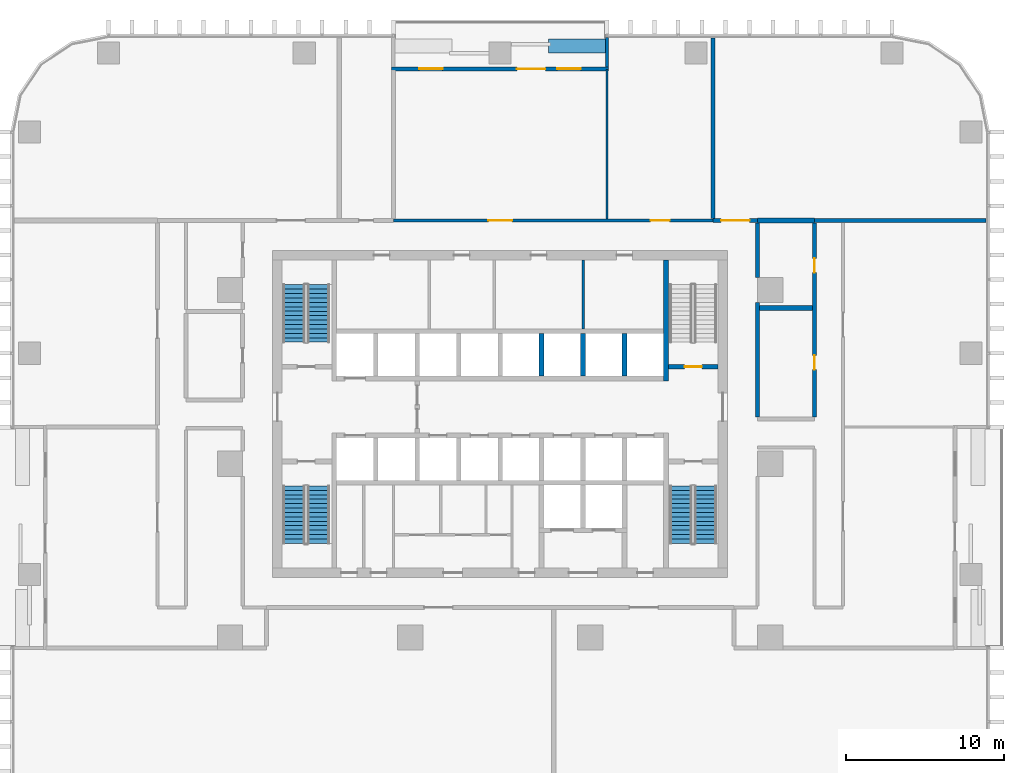
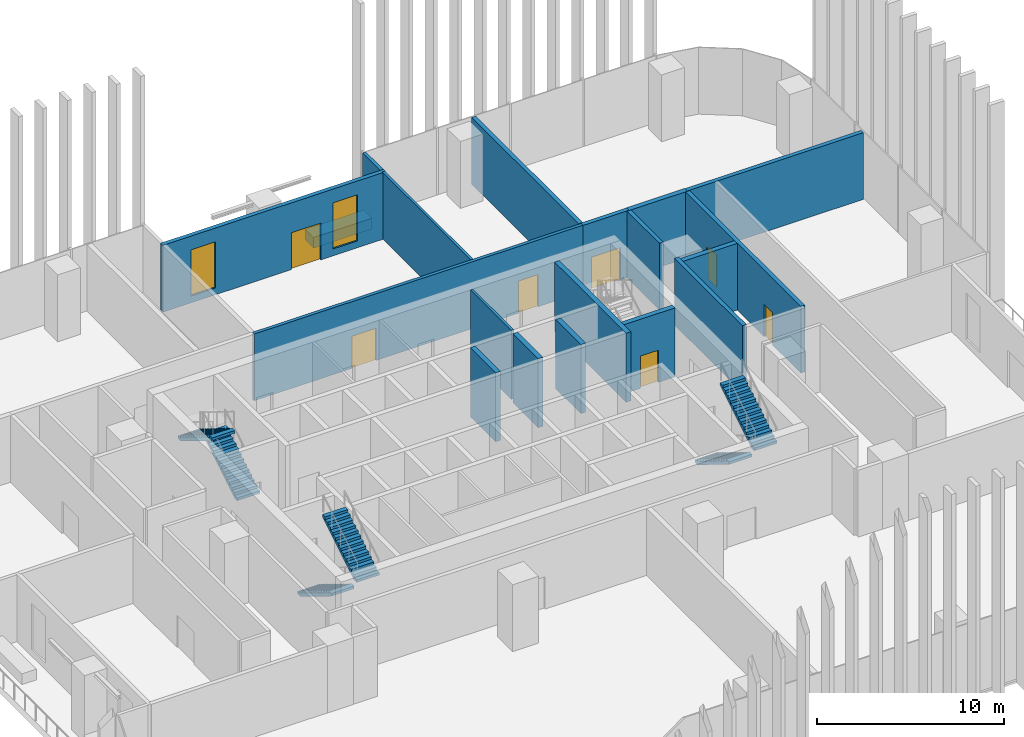
# One storey, part 10 of 17: 19 walls, 7 doors, 6 stair flights, 2 windows, 9 openings, 3 elements without a shape of their own.
"""IFC4 building model written with IfcOpenShell, lengths in metres."""

from ifc_helpers import new_model, si_unit, direction, frame, frame_2d, origin, place, context, subcontext, project, spatial, polyline, rectangle, outline, extrude, material, layer, layer_set, type_object, element, fill, aggregate, save


model = new_model("IFC4")

# Units and contexts
model_context = context("Model", 3, precision=1e-05, world=origin(), true_north=direction((0.0, 1.0)))
body_context = subcontext(model_context, "Body", "Model", "MODEL_VIEW")
ifc_project = project(units=[si_unit("LENGTHUNIT", "METRE"), si_unit("AREAUNIT", "SQUARE_METRE"), si_unit("VOLUMEUNIT", "CUBIC_METRE"), si_unit("PLANEANGLEUNIT", "RADIAN"), si_unit("MASSUNIT", "GRAM", prefix="KILO")], contexts=[model_context])

# Site, building, storey
site_placement = place(None, origin())
site = spatial("IfcSite", under=ifc_project, at=site_placement, CompositionType="ELEMENT")
building_placement = place(site_placement, origin())
building = spatial("IfcBuilding", under=site, at=building_placement, Name="Mopane Tessera Tower", CompositionType="ELEMENT")
storey_placement = place(building_placement, frame((0.0, 0.0, 31.0)))
storey = spatial("IfcBuildingStorey", under=building, at=storey_placement, Name="L05", CompositionType="ELEMENT", Elevation=31.0)

# Walls
ifc_material_1 = material(Name="Fire-rated gypsum board partition")
ifc_layer_1 = layer(ifc_material_1, 0.14990234375)
ifc_layer_set_1 = layer_set([ifc_layer_1], Name="Fire-rated gypsum board partition")
wall_type_1 = type_object("IfcWallType", Name="Core room partition 150 mm", PredefinedType="PARTITIONING", material=ifc_layer_set_1)
wall_1_placement = place(storey_placement, frame((5.25, 8.550048828125, 0.0), z_axis=(0.0, 0.0, 1.0), x_axis=(0.0, 1.0, 0.0)))
element("IfcWall", 1, at=wall_1_placement, inside=storey, type_object=wall_type_1, Name="L05 Room partition", PredefinedType="PARTITIONING", context=body_context, shape_type="SweptSolid", body=[
    extrude(rectangle(XDim=4.349853515625, YDim=0.14990234375, at=frame_2d((2.1748046875, 0.0))), origin(), (0.0, 0.0, 1.0), 4.5),
])
ifc_material_2 = material(Name="Concrete C60/75", Category="concrete")
ifc_layer_2 = layer(ifc_material_2, 0.300048828125)
ifc_layer_set_2 = layer_set([ifc_layer_2], Name="Concrete C60/75")
wall_type_2 = type_object("IfcWallType", Name="Core spine wall 300 mm", PredefinedType="SHEAR", material=ifc_layer_set_2)
wall_2_placement = place(storey_placement, frame((10.5, 5.25, 0.0), z_axis=(0.0, 0.0, 1.0), x_axis=(0.0, 1.0, 0.0)))
element("IfcWall", 2, at=wall_2_placement, inside=storey, type_object=wall_type_2, Name="L05 Core spine wall", PredefinedType="SHEAR", context=body_context, shape_type="SweptSolid", body=[
    extrude(rectangle(XDim=7.64990234375, YDim=0.300048828125, at=frame_2d((3.824951171875, 0.0))), origin(), (0.0, 0.0, 1.0), 4.5),
])

# Wall, openings, doors
ifc_material_3 = material(Name="Gypsum board on steel studs, two layers each face, mineral wool infill", Category="steel")
ifc_layer_3 = layer(ifc_material_3, 0.199951171875)
ifc_layer_set_3 = layer_set([ifc_layer_3], Name="Gypsum board on steel studs, two layers each face, mineral wool infill")
wall_type_3 = type_object("IfcWallType", Name="Gypsum board corridor wall 200, rated EI 60", PredefinedType="PARTITIONING", material=ifc_layer_set_3)
wall_3_placement = place(storey_placement, frame((-6.764892578125, 15.39990234375, 0.0), z_axis=(0.0, 0.0, 1.0), x_axis=(1.0, 0.0, 0.0)))
wall_3 = element("IfcWall", 3, at=wall_3_placement, inside=storey, type_object=wall_type_3, Name="Partition L05:017", PredefinedType="PARTITIONING", context=body_context, shape_type="SweptSolid", body=[
    extrude(rectangle(XDim=20.244873046875, YDim=0.199951171875, at=frame_2d((10.12255859375, 0.0))), origin(), (0.0, 0.0, 1.0), 4.35009765625),
])
opening_1_placement = place(wall_3_placement, frame((6.014892578125, 0.0, 0.0)))
opening_1 = element("IfcOpeningElement", 4, at=opening_1_placement, cuts=wall_3, Name="Opening L05-04", PredefinedType="OPENING", context=body_context, shape_type="SweptSolid", body=[
    extrude(rectangle(XDim=1.5, YDim=2.10009765625, at=frame_2d((0.75, 1.050048828125))), frame((0.0, 0.112060546875, 0.0), z_axis=(0.0, -1.0, 0.0), x_axis=(1.0, 0.0, 0.0)), (0.0, 0.0, 1.0), 0.223876953125),
])
opening_2_placement = place(wall_3_placement, frame((16.28759765625, 0.0, 0.0)))
opening_2 = element("IfcOpeningElement", 5, at=opening_2_placement, cuts=wall_3, Name="Opening L05-15", PredefinedType="OPENING", context=body_context, shape_type="SweptSolid", body=[
    extrude(rectangle(XDim=1.199951171875, YDim=2.10009765625, at=frame_2d((0.60009765625, 1.050048828125))), frame((0.0, 0.112060546875, 0.0), z_axis=(0.0, -1.0, 0.0), x_axis=(1.0, 0.0, 0.0)), (0.0, 0.0, 1.0), 0.223876953125),
])
ifc_material_4 = material(Name="Timber veneered steel-framed fire door", Category="steel")
door_type_1 = type_object("IfcDoorType", Name="Fire door FD60 1200 x 2100", OperationType="SINGLE_SWING_LEFT", PredefinedType="DOOR", material=ifc_material_4)
door_1_placement = place(opening_2_placement, origin())
door_1 = element("IfcDoor", 6, at=door_1_placement, inside=storey, type_object=door_type_1, Name="Door L05-15", ObjectType="D15A", OperationType="SINGLE_SWING_RIGHT", OverallHeight=2.10009765625, OverallWidth=1.199951171875, PredefinedType="DOOR", context=body_context, shape_type="SweptSolid", body=[
    extrude(rectangle(XDim=1.199951171875, YDim=2.10009765625, at=frame_2d((0.60009765625, 1.050048828125))), frame((0.0, 0.02490234375, 0.0), z_axis=(0.0, -1.0, 0.0), x_axis=(1.0, 0.0, 0.0)), (0.0, 0.0, 1.0), 0.050048828125),
])
fill(opening_2, door_1)
ifc_material_5 = material(Name="Timber veneered steel-framed fire door", Category="steel")
door_type_2 = type_object("IfcDoorType", Name="Fire door pair FD60 1500 x 2100", OperationType="DOUBLE_DOOR_SINGLE_SWING", PredefinedType="DOOR", material=ifc_material_5)
door_2_placement = place(opening_1_placement, origin())
door_2 = element("IfcDoor", 7, at=door_2_placement, inside=storey, type_object=door_type_2, Name="Door L05-04", ObjectType="D17A", OperationType="DOUBLE_DOOR_SINGLE_SWING", OverallHeight=2.10009765625, OverallWidth=1.5, PredefinedType="DOOR", context=body_context, shape_type="SweptSolid", body=[
    extrude(rectangle(XDim=1.5, YDim=2.10009765625, at=frame_2d((0.75, 1.050048828125))), frame((0.0, 0.02490234375, 0.0), z_axis=(0.0, -1.0, 0.0), x_axis=(1.0, 0.0, 0.0)), (0.0, 0.0, 1.0), 0.050048828125),
])
fill(opening_1, door_2)

# Wall
ifc_material_6 = material(Name="Gypsum board on steel studs, mineral wool infill", Category="steel")
ifc_layer_4 = layer(ifc_material_6, 0.14990234375)
ifc_layer_set_4 = layer_set([ifc_layer_4], Name="Gypsum board on steel studs, mineral wool infill")
wall_type_4 = type_object("IfcWallType", Name="Gypsum board partition 150, rated EI 60", PredefinedType="PARTITIONING", material=ifc_layer_set_4)
wall_4_placement = place(storey_placement, frame((6.764892578125, 15.5, 0.0), z_axis=(0.0, 0.0, 1.0), x_axis=(0.0, 1.0, 0.0)))
element("IfcWall", 8, at=wall_4_placement, inside=storey, type_object=wall_type_4, Name="Partition L05:037", PredefinedType="PARTITIONING", context=body_context, shape_type="SweptSolid", body=[
    extrude(rectangle(XDim=9.449951171875, YDim=0.14990234375, at=frame_2d((4.72509765625, 0.0))), origin(), (0.0, 0.0, 1.0), 4.35009765625),
])

# Wall, opening, door
ifc_material_7 = material(Name="Concrete C50/60", Category="concrete")
ifc_layer_5 = layer(ifc_material_7, 0.300048828125)
ifc_layer_set_5 = layer_set([ifc_layer_5], Name="Concrete C50/60")
wall_type_5 = type_object("IfcWallType", Name="Lift and stair shaft wall 300 mm", PredefinedType="SOLIDWALL", material=ifc_layer_set_5)
wall_5_placement = place(storey_placement, frame((10.64990234375, 6.14990234375, 0.0), z_axis=(0.0, 0.0, 1.0), x_axis=(1.0, 0.0, 0.0)))
wall_5 = element("IfcWall", 9, at=wall_5_placement, inside=storey, type_object=wall_type_5, Name="L05 Stair enclosure wall", PredefinedType="SOLIDWALL", context=body_context, shape_type="SweptSolid", body=[
    extrude(rectangle(XDim=3.150146484375, YDim=0.300048828125, at=frame_2d((1.5751953125, 0.0))), origin(), (0.0, 0.0, 1.0), 4.5),
])
opening_3_placement = place(wall_5_placement, frame((1.02490234375, 0.0, 0.0)))
opening_3 = element("IfcOpeningElement", 10, at=opening_3_placement, cuts=wall_5, Name="Opening SD1", PredefinedType="OPENING", context=body_context, shape_type="SweptSolid", body=[
    extrude(rectangle(XDim=1.10009765625, YDim=2.10009765625, at=frame_2d((0.550048828125, 1.050048828125))), frame((0.0, 0.162109375, 0.0), z_axis=(0.0, -1.0, 0.0), x_axis=(1.0, 0.0, 0.0)), (0.0, 0.0, 1.0), 0.323974609375),
])
ifc_material_8 = material(Name="Steel fire door", Category="steel")
door_type_3 = type_object("IfcDoorType", Name="Stair fire door 1100 x 2100", OperationType="SINGLE_SWING_LEFT", PredefinedType="DOOR", material=ifc_material_8)
door_3_placement = place(opening_3_placement, origin())
door_3 = element("IfcDoor", 11, at=door_3_placement, inside=storey, type_object=door_type_3, Name="L05 Stair door ST4", OperationType="SINGLE_SWING_RIGHT", OverallHeight=2.10009765625, OverallWidth=1.10009765625, PredefinedType="DOOR", context=body_context, shape_type="SweptSolid", body=[
    extrude(rectangle(XDim=1.10009765625, YDim=2.10009765625, at=frame_2d((0.550048828125, 1.050048828125))), frame((0.0, 0.02490234375, 0.0), z_axis=(0.0, -1.0, 0.0), x_axis=(1.0, 0.0, 0.0)), (0.0, 0.0, 1.0), 0.050048828125),
])
fill(opening_3, door_3)

# Walls
for number, where, z_axis, x_axis, name in (
    (12, (2.625, 5.550048828125, 0.0), (0.0, 0.0, 1.0), (0.0, 1.0, 0.0), "L05 Lift shaft wall"),
    (13, (5.25, 5.550048828125, 0.0), (0.0, 0.0, 1.0), (0.0, 1.0, 0.0), "L05 Lift shaft wall"),
    (14, (7.875, 5.550048828125, 0.0), (0.0, 0.0, 1.0), (0.0, 1.0, 0.0), "L05 Lift shaft wall"),
):
    element("IfcWall", number, at=place(storey_placement, frame(where, z_axis=z_axis, x_axis=x_axis)), inside=storey, type_object=wall_type_5, Name=name, PredefinedType="SOLIDWALL", context=body_context, shape_type="SweptSolid", body=[
        extrude(rectangle(XDim=2.699951171875, YDim=0.300048828125, at=frame_2d((1.35009765625, 0.0))), origin(), (0.0, 0.0, 1.0), 4.5),
    ])
ifc_material_9 = material(Name="Reinforced concrete C32/40 with waterproofing", Category="concrete")
ifc_layer_6 = layer(ifc_material_9, 0.89990234375)
ifc_layer_set_6 = layer_set([ifc_layer_6], Name="Reinforced concrete C32/40 with waterproofing")
wall_type_6 = type_object("IfcWallType", Name="Planter trough 3600 x 900", PredefinedType="STANDARD", material=ifc_layer_set_6)
wall_6_placement = place(storey_placement, frame((6.66357421875, 26.449951171875, 0.0), z_axis=(0.0, 0.0, 1.0), x_axis=(-1.0, 0.0, 0.0)))
element("IfcWall", 15, at=wall_6_placement, inside=storey, type_object=wall_type_6, Name="e:nw:L05:N2:pl0", PredefinedType="STANDARD", context=body_context, shape_type="SweptSolid", body=[
    extrude(rectangle(XDim=3.599853515625, YDim=0.89990234375, at=frame_2d((1.7998046875, 0.0))), origin(), (0.0, 0.0, 1.0), 0.699951171875),
])
ifc_material_10 = material(Name="Plastered concrete blockwork C20/25", Category="masonry")
ifc_layer_7 = layer(ifc_material_10, 0.300048828125)
ifc_layer_set_7 = layer_set([ifc_layer_7], Name="Plastered concrete blockwork C20/25")
wall_type_7 = type_object("IfcWallType", Name="Plastered blockwork separation wall 300, rated EI 120", PredefinedType="PARTITIONING", material=ifc_layer_set_7)
wall_7_placement = place(storey_placement, frame((16.425048828125, 9.8701171875, 0.0), z_axis=(0.0, 0.0, 1.0), x_axis=(1.0, 0.0, 0.0)))
element("IfcWall", 16, at=wall_7_placement, inside=storey, type_object=wall_type_7, Name="Partition L05:016", PredefinedType="PARTITIONING", context=body_context, shape_type="SweptSolid", body=[
    extrude(rectangle(XDim=3.349853515625, YDim=0.300048828125, at=frame_2d((1.6748046875, 0.0))), origin(), (0.0, 0.0, 1.0), 4.35009765625),
])
wall_8_placement = place(storey_placement, frame((16.300048828125, 15.39990234375, 0.0), z_axis=(0.0, 0.0, 1.0), x_axis=(1.0, 0.0, 0.0)))
element("IfcWall", 17, at=wall_8_placement, inside=storey, type_object=wall_type_7, Name="Partition L05:022", PredefinedType="PARTITIONING", context=body_context, shape_type="SweptSolid", body=[
    extrude(rectangle(XDim=3.599853515625, YDim=0.300048828125, at=frame_2d((1.7998046875, 0.0))), origin(), (0.0, 0.0, 1.0), 4.35009765625),
])

# Wall, opening, door
ifc_material_11 = material(Name="Plastered concrete blockwork C20/25", Category="masonry")
ifc_layer_8 = layer(ifc_material_11, 0.25)
ifc_layer_set_8 = layer_set([ifc_layer_8], Name="Plastered concrete blockwork C20/25")
wall_type_8 = type_object("IfcWallType", Name="Plastered blockwork wall 250, rated EI 120", PredefinedType="PARTITIONING", material=ifc_layer_set_8)
wall_9_placement = place(storey_placement, frame((13.47998046875, 15.39990234375, 0.0), z_axis=(0.0, 0.0, 1.0), x_axis=(1.0, 0.0, 0.0)))
wall_9 = element("IfcWall", 18, at=wall_9_placement, inside=storey, type_object=wall_type_8, Name="Partition L05:019", PredefinedType="PARTITIONING", context=body_context, shape_type="SweptSolid", body=[
    extrude(rectangle(XDim=2.820068359375, YDim=0.25, at=frame_2d((1.41015625, 0.0))), origin(), (0.0, 0.0, 1.0), 4.35009765625),
])
opening_4_placement = place(wall_9_placement, frame((0.510009765625, 0.0, 0.0)))
opening_4 = element("IfcOpeningElement", 19, at=opening_4_placement, cuts=wall_9, Name="Opening L05-12", PredefinedType="OPENING", context=body_context, shape_type="SweptSolid", body=[
    extrude(rectangle(XDim=1.800048828125, YDim=2.10009765625, at=frame_2d((0.89990234375, 1.050048828125))), frame((0.0, 0.136962890625, 0.0), z_axis=(0.0, -1.0, 0.0), x_axis=(1.0, 0.0, 0.0)), (0.0, 0.0, 1.0), 0.27392578125),
])
ifc_material_12 = material(Name="Timber veneered steel-framed fire door", Category="steel")
door_type_4 = type_object("IfcDoorType", Name="Fire door pair FD120 1800 x 2100", OperationType="DOUBLE_DOOR_SINGLE_SWING", PredefinedType="DOOR", material=ifc_material_12)
door_4_placement = place(opening_4_placement, origin())
door_4 = element("IfcDoor", 20, at=door_4_placement, inside=storey, type_object=door_type_4, Name="Door L05-12", ObjectType="D20B", OperationType="DOUBLE_DOOR_SINGLE_SWING", OverallHeight=2.10009765625, OverallWidth=1.800048828125, PredefinedType="DOOR", context=body_context, shape_type="SweptSolid", body=[
    extrude(rectangle(XDim=1.800048828125, YDim=2.10009765625, at=frame_2d((0.89990234375, 1.050048828125))), frame((0.0, 0.02490234375, 0.0), z_axis=(0.0, -1.0, 0.0), x_axis=(1.0, 0.0, 0.0)), (0.0, 0.0, 1.0), 0.050048828125),
])
fill(opening_4, door_4)

# Walls
wall_10_placement = place(storey_placement, frame((19.89990234375, 15.39990234375, 0.0), z_axis=(0.0, 0.0, 1.0), x_axis=(1.0, 0.0, 0.0)))
element("IfcWall", 21, at=wall_10_placement, inside=storey, type_object=wall_type_8, Name="Partition L05:020", PredefinedType="PARTITIONING", context=body_context, shape_type="SweptSolid", body=[
    extrude(rectangle(XDim=10.85009765625, YDim=0.25, at=frame_2d((5.425048828125, 0.0))), origin(), (0.0, 0.0, 1.0), 4.35009765625),
])
wall_11_placement = place(storey_placement, frame((13.47998046875, 15.52490234375, 0.0), z_axis=(0.0, 0.0, 1.0), x_axis=(0.0, 1.0, 0.0)))
element("IfcWall", 22, at=wall_11_placement, inside=storey, type_object=wall_type_8, Name="Partition L05:038", PredefinedType="PARTITIONING", context=body_context, shape_type="SweptSolid", body=[
    extrude(rectangle(XDim=11.425048828125, YDim=0.25, at=frame_2d((5.71240234375, 0.0))), origin(), (0.0, 0.0, 1.0), 4.35009765625),
])
wall_12_placement = place(storey_placement, frame((16.300048828125, 2.949951171875, 0.0), z_axis=(0.0, 0.0, 1.0), x_axis=(0.0, 1.0, 0.0)))
element("IfcWall", 23, at=wall_12_placement, inside=storey, type_object=wall_type_8, Name="Partition L05:041", PredefinedType="PARTITIONING", context=body_context, shape_type="SweptSolid", body=[
    extrude(rectangle(XDim=7.25, YDim=0.25, at=frame_2d((3.625, 0.0))), origin(), (0.0, 0.0, 1.0), 4.35009765625),
])
wall_13_placement = place(storey_placement, frame((16.300048828125, 11.800048828125, 0.0), z_axis=(0.0, 0.0, 1.0), x_axis=(0.0, 1.0, 0.0)))
element("IfcWall", 24, at=wall_13_placement, inside=storey, type_object=wall_type_8, Name="Partition L05:042", PredefinedType="PARTITIONING", context=body_context, shape_type="SweptSolid", body=[
    extrude(rectangle(XDim=3.449951171875, YDim=0.25, at=frame_2d((1.72509765625, 0.0))), origin(), (0.0, 0.0, 1.0), 4.35009765625),
])

# Wall, openings, doors
wall_14_placement = place(storey_placement, frame((19.89990234375, 2.949951171875, 0.0), z_axis=(0.0, 0.0, 1.0), x_axis=(0.0, 1.0, 0.0)))
wall_14 = element("IfcWall", 25, at=wall_14_placement, inside=storey, type_object=wall_type_8, Name="Partition L05:044", PredefinedType="PARTITIONING", context=body_context, shape_type="SweptSolid", body=[
    extrude(rectangle(XDim=12.300048828125, YDim=0.25, at=frame_2d((6.14990234375, 0.0))), origin(), (0.0, 0.0, 1.0), 4.35009765625),
])
opening_5_placement = place(wall_14_placement, frame((9.159912109375, 0.0, 0.0)))
opening_5 = element("IfcOpeningElement", 26, at=opening_5_placement, cuts=wall_14, Name="Opening L05-02", PredefinedType="OPENING", context=body_context, shape_type="SweptSolid", body=[
    extrude(rectangle(XDim=0.89990234375, YDim=2.10009765625, at=frame_2d((0.449951171875, 1.050048828125))), frame((0.0, 0.136962890625, 0.0), z_axis=(0.0, -1.0, 0.0), x_axis=(1.0, 0.0, 0.0)), (0.0, 0.0, 1.0), 0.27392578125),
])
opening_6_placement = place(wall_14_placement, frame((3.010009765625, 0.0, 0.0)))
opening_6 = element("IfcOpeningElement", 27, at=opening_6_placement, cuts=wall_14, Name="Opening L05-11", PredefinedType="OPENING", context=body_context, shape_type="SweptSolid", body=[
    extrude(rectangle(XDim=0.89990234375, YDim=2.10009765625, at=frame_2d((0.449951171875, 1.050048828125))), frame((0.0, 0.136962890625, 0.0), z_axis=(0.0, -1.0, 0.0), x_axis=(1.0, 0.0, 0.0)), (0.0, 0.0, 1.0), 0.27392578125),
])
ifc_material_13 = material(Name="Timber veneered steel-framed fire door", Category="steel")
door_type_5 = type_object("IfcDoorType", Name="Fire door FD120 900 x 2100", OperationType="SINGLE_SWING_LEFT", PredefinedType="DOOR", material=ifc_material_13)
door_5_placement = place(opening_5_placement, origin())
door_5 = element("IfcDoor", 28, at=door_5_placement, inside=storey, type_object=door_type_5, Name="Door L05-02", ObjectType="D10B", OperationType="SINGLE_SWING_RIGHT", OverallHeight=2.10009765625, OverallWidth=0.89990234375, PredefinedType="DOOR", context=body_context, shape_type="SweptSolid", body=[
    extrude(rectangle(XDim=0.89990234375, YDim=2.10009765625, at=frame_2d((0.449951171875, 1.050048828125))), frame((0.0, 0.02490234375, 0.0), z_axis=(0.0, -1.0, 0.0), x_axis=(1.0, 0.0, 0.0)), (0.0, 0.0, 1.0), 0.050048828125),
])
fill(opening_5, door_5)
door_6_placement = place(opening_6_placement, origin())
door_6 = element("IfcDoor", 29, at=door_6_placement, inside=storey, type_object=door_type_5, Name="Door L05-11", ObjectType="D10B", OperationType="SINGLE_SWING_LEFT", OverallHeight=2.10009765625, OverallWidth=0.89990234375, PredefinedType="DOOR", context=body_context, shape_type="SweptSolid", body=[
    extrude(rectangle(XDim=0.89990234375, YDim=2.10009765625, at=frame_2d((0.449951171875, 1.050048828125))), frame((0.0, 0.02490234375, 0.0), z_axis=(0.0, -1.0, 0.0), x_axis=(1.0, 0.0, 0.0)), (0.0, 0.0, 1.0), 0.050048828125),
])
fill(opening_6, door_6)

# Wall
ifc_material_14 = material(Name="Blockwork with glazed tile facing", Category="masonry")
ifc_layer_9 = layer(ifc_material_14, 0.199951171875)
ifc_layer_set_9 = layer_set([ifc_layer_9], Name="Blockwork with glazed tile facing")
wall_type_9 = type_object("IfcWallType", Name="Terrace cheek wall 200", PredefinedType="STANDARD", material=ifc_layer_set_9)
wall_15_placement = place(storey_placement, frame((6.763671875, 27.0, 0.0), z_axis=(0.0, 0.0, 1.0), x_axis=(0.0, -1.0, 0.0)))
element("IfcWall", 30, at=wall_15_placement, inside=storey, type_object=wall_type_9, Name="e:nw:L05:N2:cheeka", PredefinedType="STANDARD", context=body_context, shape_type="SweptSolid", body=[
    extrude(rectangle(XDim=1.875, YDim=0.199951171875, at=frame_2d((0.9375, 0.0))), origin(), (0.0, 0.0, 1.0), 4.35009765625),
])

# Wall, openings, windows, door
ifc_material_15 = material(Name="Blockwork with ultramarine glazed tile facing", Category="masonry")
ifc_layer_10 = layer(ifc_material_15, 0.25)
ifc_layer_set_10 = layer_set([ifc_layer_10], Name="Blockwork with ultramarine glazed tile facing")
wall_type_10 = type_object("IfcWallType", Name="Tile-clad external wall 250, ultramarine", PredefinedType="STANDARD", material=ifc_layer_set_10)
wall_16_placement = place(storey_placement, frame((6.863525390625, 25.0, 0.0), z_axis=(0.0, 0.0, 1.0), x_axis=(-1.0, 0.0, 0.0)))
wall_16 = element("IfcWall", 31, at=wall_16_placement, inside=storey, type_object=wall_type_10, Name="e:nw:L05:N2:back", PredefinedType="STANDARD", context=body_context, shape_type="SweptSolid", body=[
    extrude(rectangle(XDim=13.72705078125, YDim=0.25, at=frame_2d((6.863525390625, 0.0))), origin(), (0.0, 0.0, 1.0), 4.35009765625),
])
opening_7_placement = place(wall_16_placement, frame((1.75, 0.0, 0.449951171875)))
opening_7 = element("IfcOpeningElement", 32, at=opening_7_placement, cuts=wall_16, Name="Opening NW052A", PredefinedType="OPENING", context=body_context, shape_type="SweptSolid", body=[
    extrude(rectangle(XDim=1.5, YDim=3.0, at=frame_2d((0.75, 1.5))), frame((0.0, 0.136962890625, 0.0), z_axis=(0.0, -1.0, 0.0), x_axis=(1.0, 0.0, 0.0)), (0.0, 0.0, 1.0), 0.27392578125),
])
opening_8_placement = place(wall_16_placement, frame((4.0, 0.0, 0.0)))
opening_8 = element("IfcOpeningElement", 33, at=opening_8_placement, cuts=wall_16, Name="Opening ND052", PredefinedType="OPENING", context=body_context, shape_type="SweptSolid", body=[
    extrude(rectangle(XDim=1.800048828125, YDim=2.39990234375, at=frame_2d((0.89990234375, 1.199951171875))), frame((0.0, 0.136962890625, 0.0), z_axis=(0.0, -1.0, 0.0), x_axis=(1.0, 0.0, 0.0)), (0.0, 0.0, 1.0), 0.27392578125),
])
opening_9_placement = place(wall_16_placement, frame((10.5, 0.0, 0.449951171875)))
opening_9 = element("IfcOpeningElement", 34, at=opening_9_placement, cuts=wall_16, Name="Opening NW052B", PredefinedType="OPENING", context=body_context, shape_type="SweptSolid", body=[
    extrude(rectangle(XDim=1.5, YDim=3.0, at=frame_2d((0.75, 1.5))), frame((0.0, 0.136962890625, 0.0), z_axis=(0.0, -1.0, 0.0), x_axis=(1.0, 0.0, 0.0)), (0.0, 0.0, 1.0), 0.27392578125),
])
ifc_material_16 = material(Name="Clear laminated glass", Category="glass")
window_type = type_object("IfcWindowType", Name="Fixed window 1500 x 3000", PartitioningType="SINGLE_PANEL", PredefinedType="WINDOW", material=ifc_material_16)
window_1_placement = place(opening_7_placement, origin())
window_1 = element("IfcWindow", 35, at=window_1_placement, inside=storey, type_object=window_type, Name="e:nw:L05:N2:win0", OverallHeight=3.0, OverallWidth=1.5, PartitioningType="SINGLE_PANEL", PredefinedType="WINDOW", context=body_context, shape_type="SweptSolid", body=[
    extrude(rectangle(XDim=1.5, YDim=3.0, at=frame_2d((0.75, 1.5))), frame((0.0, 0.030029296875, 0.0), z_axis=(0.0, -1.0, 0.0), x_axis=(1.0, 0.0, 0.0)), (0.0, 0.0, 1.0), 0.06005859375),
])
fill(opening_7, window_1)
window_2_placement = place(opening_9_placement, origin())
window_2 = element("IfcWindow", 36, at=window_2_placement, inside=storey, type_object=window_type, Name="e:nw:L05:N2:win2", OverallHeight=3.0, OverallWidth=1.5, PartitioningType="SINGLE_PANEL", PredefinedType="WINDOW", context=body_context, shape_type="SweptSolid", body=[
    extrude(rectangle(XDim=1.5, YDim=3.0, at=frame_2d((0.75, 1.5))), frame((0.0, 0.030029296875, 0.0), z_axis=(0.0, -1.0, 0.0), x_axis=(1.0, 0.0, 0.0)), (0.0, 0.0, 1.0), 0.06005859375),
])
fill(opening_9, window_2)
ifc_material_17 = material(Name="Aluminium and clear glass", Category="aluminium")
door_type_6 = type_object("IfcDoorType", Name="Terrace double door 1800 x 2400", OperationType="DOUBLE_DOOR_SINGLE_SWING", PredefinedType="DOOR", material=ifc_material_17)
door_7_placement = place(opening_8_placement, origin())
door_7 = element("IfcDoor", 37, at=door_7_placement, inside=storey, type_object=door_type_6, Name="e:nw:L05:N2:door", ObjectType="D1", OperationType="DOUBLE_DOOR_SINGLE_SWING", OverallHeight=2.39990234375, OverallWidth=1.800048828125, PredefinedType="DOOR", context=body_context, shape_type="SweptSolid", body=[
    extrude(rectangle(XDim=1.800048828125, YDim=2.39990234375, at=frame_2d((0.89990234375, 1.199951171875))), frame((0.0, 0.02490234375, 0.0), z_axis=(0.0, -1.0, 0.0), x_axis=(1.0, 0.0, 0.0)), (0.0, 0.0, 1.0), 0.050048828125),
])
fill(opening_8, door_7)

# Stair, stair flights
ifc_material_18 = material(Name="Concrete C50/60", Category="concrete")
stair_type = type_object("IfcStairType", Name="Escape stair 1400 mm, riser 171 mm", PredefinedType="HALF_TURN_STAIR", material=ifc_material_18)
stair_1_placement = place(storey_placement, origin())
stair_1 = element("IfcStair", 38, at=stair_1_placement, inside=storey, type_object=stair_type, Name="L05 Escape stair south-west", PredefinedType="HALF_TURN_STAIR")
ifc_material_19 = material(Name="Concrete C50/60", Category="concrete")
stair_flight_type = type_object("IfcStairFlightType", Name="Escape stair flight 1400 mm", PredefinedType="STRAIGHT", material=ifc_material_19)
stair_flight_1_placement = place(storey_placement, frame((-13.050048828125, -1.39990234375, 0.0), z_axis=(0.0, 0.0, 1.0), x_axis=(0.0, -1.0, 0.0)))
stair_flight_1 = element("IfcStairFlight", 39, at=stair_flight_1_placement, type_object=stair_flight_type, Name="ST1 flight 1", NumberOfRisers=14, NumberOfTreads=13, PredefinedType="STRAIGHT", RiserHeight=0.171428571, TreadLength=0.28, context=body_context, shape_type="SweptSolid", body=[
    extrude(outline(polyline([(0.0, 0.0), (0.0, 0.17138671875), (0.280029296875, 0.17138671875), (0.280029296875, 0.3427734375), (0.56005859375, 0.3427734375), (0.56005859375, 0.514404296875), (0.840087890625, 0.514404296875), (0.840087890625, 0.685791015625), (1.1201171875, 0.685791015625), (1.1201171875, 0.857177734375), (1.39990234375, 0.857177734375), (1.39990234375, 1.028564453125), (1.679931640625, 1.028564453125), (1.679931640625, 1.199951171875), (1.9599609375, 1.199951171875), (1.9599609375, 1.371337890625), (2.239990234375, 1.371337890625), (2.239990234375, 1.54296875), (2.52001953125, 1.54296875), (2.52001953125, 1.71435546875), (2.800048828125, 1.71435546875), (2.800048828125, 1.8857421875), (3.080078125, 1.8857421875), (3.080078125, 2.05712890625), (3.360107421875, 2.05712890625), (3.360107421875, 2.228515625), (3.639892578125, 2.228515625), (3.639892578125, 2.39990234375), (3.639892578125, 2.052734375), (0.287109375, 0.0), (0.0, 0.0)])), frame((0.0, 0.699951171875, 0.0), z_axis=(0.0, -1.0, 0.0), x_axis=(1.0, 0.0, 0.0)), (0.0, 0.0, 1.0), 1.39990234375),
])
stair_flight_2_placement = place(storey_placement, frame((-11.5, -5.0400390625, 2.39990234375), z_axis=(0.0, 0.0, 1.0), x_axis=(0.0, 1.0, 0.0)))
stair_flight_2 = element("IfcStairFlight", 40, at=stair_flight_2_placement, type_object=stair_flight_type, Name="ST1 flight 2", NumberOfRisers=14, NumberOfTreads=13, PredefinedType="STRAIGHT", RiserHeight=0.171428571, TreadLength=0.28, context=body_context, shape_type="SweptSolid", body=[
    extrude(outline(polyline([(0.0, 0.0), (0.0, 0.17138671875), (0.280029296875, 0.17138671875), (0.280029296875, 0.3427734375), (0.56005859375, 0.3427734375), (0.56005859375, 0.514404296875), (0.840087890625, 0.514404296875), (0.840087890625, 0.685791015625), (1.1201171875, 0.685791015625), (1.1201171875, 0.857177734375), (1.39990234375, 0.857177734375), (1.39990234375, 1.028564453125), (1.679931640625, 1.028564453125), (1.679931640625, 1.199951171875), (1.9599609375, 1.199951171875), (1.9599609375, 1.371337890625), (2.239990234375, 1.371337890625), (2.239990234375, 1.54296875), (2.52001953125, 1.54296875), (2.52001953125, 1.71435546875), (2.800048828125, 1.71435546875), (2.800048828125, 1.8857421875), (3.080078125, 1.8857421875), (3.080078125, 2.05712890625), (3.360107421875, 2.05712890625), (3.360107421875, 2.228515625), (3.639892578125, 2.228515625), (3.639892578125, 2.39990234375), (3.639892578125, 2.052734375), (0.287109375, 0.0), (0.0, 0.0)])), frame((0.0, 0.699951171875, 0.0), z_axis=(0.0, -1.0, 0.0), x_axis=(1.0, 0.0, 0.0)), (0.0, 0.0, 1.0), 1.39990234375),
])
aggregate(stair_1, [stair_flight_1, stair_flight_2])

stair_2_placement = place(storey_placement, origin())
stair_2 = element("IfcStair", 41, at=stair_2_placement, inside=storey, type_object=stair_type, Name="L05 Escape stair north-west", PredefinedType="HALF_TURN_STAIR")
stair_flight_3_placement = place(storey_placement, frame((-11.5, 7.699951171875, 0.0), z_axis=(0.0, 0.0, 1.0), x_axis=(0.0, 1.0, 0.0)))
stair_flight_3 = element("IfcStairFlight", 42, at=stair_flight_3_placement, type_object=stair_flight_type, Name="ST2 flight 1", NumberOfRisers=14, NumberOfTreads=13, PredefinedType="STRAIGHT", RiserHeight=0.171428571, TreadLength=0.28, context=body_context, shape_type="SweptSolid", body=[
    extrude(outline(polyline([(0.0, 0.0), (0.0, 0.17138671875), (0.280029296875, 0.17138671875), (0.280029296875, 0.3427734375), (0.56005859375, 0.3427734375), (0.56005859375, 0.514404296875), (0.840087890625, 0.514404296875), (0.840087890625, 0.685791015625), (1.1201171875, 0.685791015625), (1.1201171875, 0.857177734375), (1.39990234375, 0.857177734375), (1.39990234375, 1.028564453125), (1.679931640625, 1.028564453125), (1.679931640625, 1.199951171875), (1.9599609375, 1.199951171875), (1.9599609375, 1.371337890625), (2.239990234375, 1.371337890625), (2.239990234375, 1.54296875), (2.52001953125, 1.54296875), (2.52001953125, 1.71435546875), (2.800048828125, 1.71435546875), (2.800048828125, 1.8857421875), (3.080078125, 1.8857421875), (3.080078125, 2.05712890625), (3.360107421875, 2.05712890625), (3.360107421875, 2.228515625), (3.639892578125, 2.228515625), (3.639892578125, 2.39990234375), (3.639892578125, 2.052734375), (0.287109375, 0.0), (0.0, 0.0)])), frame((0.0, 0.699951171875, 0.0), z_axis=(0.0, -1.0, 0.0), x_axis=(1.0, 0.0, 0.0)), (0.0, 0.0, 1.0), 1.39990234375),
])
stair_flight_4_placement = place(storey_placement, frame((-13.050048828125, 11.340087890625, 2.39990234375), z_axis=(0.0, 0.0, 1.0), x_axis=(0.0, -1.0, 0.0)))
stair_flight_4 = element("IfcStairFlight", 43, at=stair_flight_4_placement, type_object=stair_flight_type, Name="ST2 flight 2", NumberOfRisers=14, NumberOfTreads=13, PredefinedType="STRAIGHT", RiserHeight=0.171428571, TreadLength=0.28, context=body_context, shape_type="SweptSolid", body=[
    extrude(outline(polyline([(0.0, 0.0), (0.0, 0.17138671875), (0.280029296875, 0.17138671875), (0.280029296875, 0.3427734375), (0.56005859375, 0.3427734375), (0.56005859375, 0.514404296875), (0.840087890625, 0.514404296875), (0.840087890625, 0.685791015625), (1.1201171875, 0.685791015625), (1.1201171875, 0.857177734375), (1.39990234375, 0.857177734375), (1.39990234375, 1.028564453125), (1.679931640625, 1.028564453125), (1.679931640625, 1.199951171875), (1.9599609375, 1.199951171875), (1.9599609375, 1.371337890625), (2.239990234375, 1.371337890625), (2.239990234375, 1.54296875), (2.52001953125, 1.54296875), (2.52001953125, 1.71435546875), (2.800048828125, 1.71435546875), (2.800048828125, 1.8857421875), (3.080078125, 1.8857421875), (3.080078125, 2.05712890625), (3.360107421875, 2.05712890625), (3.360107421875, 2.228515625), (3.639892578125, 2.228515625), (3.639892578125, 2.39990234375), (3.639892578125, 2.052734375), (0.287109375, 0.0), (0.0, 0.0)])), frame((0.0, 0.699951171875, 0.0), z_axis=(0.0, -1.0, 0.0), x_axis=(1.0, 0.0, 0.0)), (0.0, 0.0, 1.0), 1.39990234375),
])
aggregate(stair_2, [stair_flight_3, stair_flight_4])

stair_3_placement = place(storey_placement, origin())
stair_3 = element("IfcStair", 44, at=stair_3_placement, inside=storey, type_object=stair_type, Name="L05 Escape stair south-east", PredefinedType="HALF_TURN_STAIR")
stair_flight_5_placement = place(storey_placement, frame((11.449951171875, -1.39990234375, 0.0), z_axis=(0.0, 0.0, 1.0), x_axis=(0.0, -1.0, 0.0)))
stair_flight_5 = element("IfcStairFlight", 45, at=stair_flight_5_placement, type_object=stair_flight_type, Name="ST3 flight 1", NumberOfRisers=14, NumberOfTreads=13, PredefinedType="STRAIGHT", RiserHeight=0.171428571, TreadLength=0.28, context=body_context, shape_type="SweptSolid", body=[
    extrude(outline(polyline([(0.0, 0.0), (0.0, 0.17138671875), (0.280029296875, 0.17138671875), (0.280029296875, 0.3427734375), (0.56005859375, 0.3427734375), (0.56005859375, 0.514404296875), (0.840087890625, 0.514404296875), (0.840087890625, 0.685791015625), (1.1201171875, 0.685791015625), (1.1201171875, 0.857177734375), (1.39990234375, 0.857177734375), (1.39990234375, 1.028564453125), (1.679931640625, 1.028564453125), (1.679931640625, 1.199951171875), (1.9599609375, 1.199951171875), (1.9599609375, 1.371337890625), (2.239990234375, 1.371337890625), (2.239990234375, 1.54296875), (2.52001953125, 1.54296875), (2.52001953125, 1.71435546875), (2.800048828125, 1.71435546875), (2.800048828125, 1.8857421875), (3.080078125, 1.8857421875), (3.080078125, 2.05712890625), (3.360107421875, 2.05712890625), (3.360107421875, 2.228515625), (3.639892578125, 2.228515625), (3.639892578125, 2.39990234375), (3.639892578125, 2.052734375), (0.287109375, 0.0), (0.0, 0.0)])), frame((0.0, 0.699951171875, 0.0), z_axis=(0.0, -1.0, 0.0), x_axis=(1.0, 0.0, 0.0)), (0.0, 0.0, 1.0), 1.39990234375),
])
stair_flight_6_placement = place(storey_placement, frame((13.0, -5.0400390625, 2.39990234375), z_axis=(0.0, 0.0, 1.0), x_axis=(0.0, 1.0, 0.0)))
stair_flight_6 = element("IfcStairFlight", 46, at=stair_flight_6_placement, type_object=stair_flight_type, Name="ST3 flight 2", NumberOfRisers=14, NumberOfTreads=13, PredefinedType="STRAIGHT", RiserHeight=0.171428571, TreadLength=0.28, context=body_context, shape_type="SweptSolid", body=[
    extrude(outline(polyline([(0.0, 0.0), (0.0, 0.17138671875), (0.280029296875, 0.17138671875), (0.280029296875, 0.3427734375), (0.56005859375, 0.3427734375), (0.56005859375, 0.514404296875), (0.840087890625, 0.514404296875), (0.840087890625, 0.685791015625), (1.1201171875, 0.685791015625), (1.1201171875, 0.857177734375), (1.39990234375, 0.857177734375), (1.39990234375, 1.028564453125), (1.679931640625, 1.028564453125), (1.679931640625, 1.199951171875), (1.9599609375, 1.199951171875), (1.9599609375, 1.371337890625), (2.239990234375, 1.371337890625), (2.239990234375, 1.54296875), (2.52001953125, 1.54296875), (2.52001953125, 1.71435546875), (2.800048828125, 1.71435546875), (2.800048828125, 1.8857421875), (3.080078125, 1.8857421875), (3.080078125, 2.05712890625), (3.360107421875, 2.05712890625), (3.360107421875, 2.228515625), (3.639892578125, 2.228515625), (3.639892578125, 2.39990234375), (3.639892578125, 2.052734375), (0.287109375, 0.0), (0.0, 0.0)])), frame((0.0, 0.699951171875, 0.0), z_axis=(0.0, -1.0, 0.0), x_axis=(1.0, 0.0, 0.0)), (0.0, 0.0, 1.0), 1.39990234375),
])
aggregate(stair_3, [stair_flight_5, stair_flight_6])

save(model, "model.ifc")
